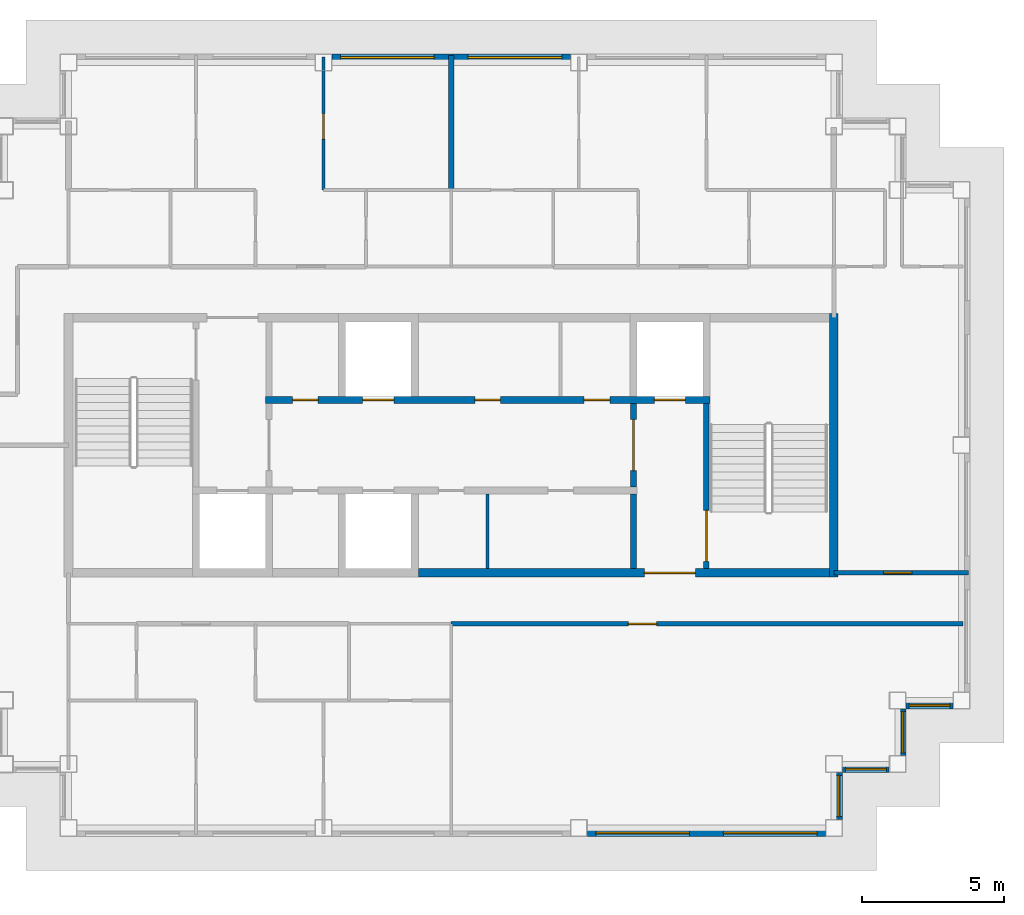
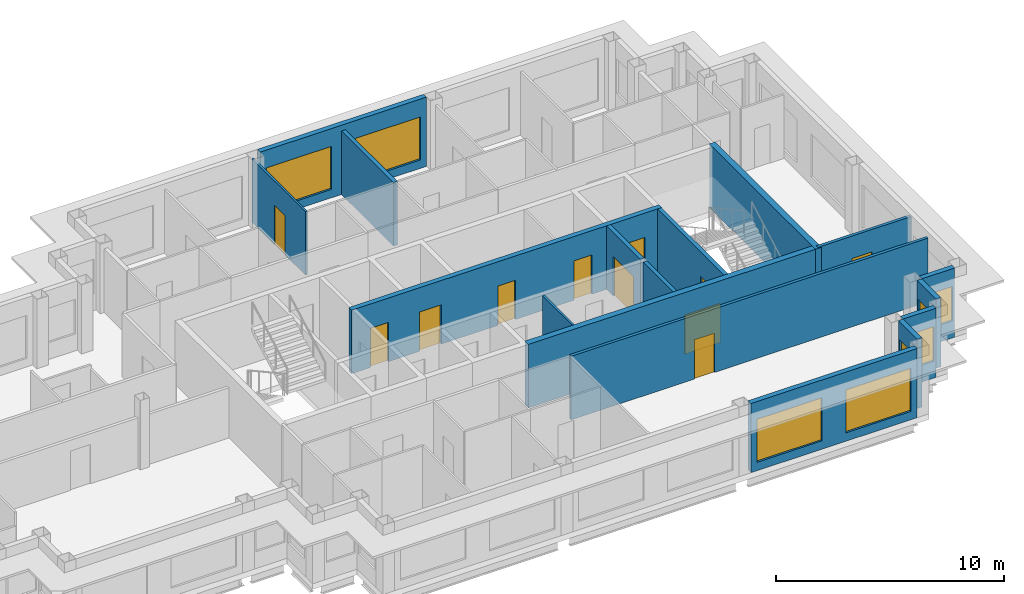
# One storey, part 5 of 12: 17 walls, 11 doors, 8 windows, 19 openings.
"""IFC4 building model written with IfcOpenShell, lengths in metres."""

import ifcopenshell
import ifcopenshell.guid

model = None  # the IFC model being written
_history = None  # IfcOwnerHistory: only IFC2X3 demands one
_inside = {}  # id of a spatial element -> (the spatial element, [elements in it])
_under = {}  # id of a project, library or spatial element -> (it, [spatial elements below it])
_declared = {}  # id of a project -> (the project, [libraries it declares])
_typed = {}  # id of a type object -> (the type object, [elements of that type])
_made_of = {}  # id of a material, layer set ... -> (it, [elements and type objects made of it])


def new_model(schema):
    """Start an empty IFC model of exactly this schema.

    Asked for "IFC4X3", IfcOpenShell would pick the latest addendum, in which some entities
    have other attributes; the version numbers below select the first issue.
    IFC2X3 requires an IfcOwnerHistory on every rooted entity: one is made here for all.
    """
    global model, _history
    if schema == "IFC4X3":
        model = ifcopenshell.file(schema_version=(4, 3, 0, 0))
    else:
        model = ifcopenshell.file(schema=schema)
    _inside.clear()
    _under.clear()
    _declared.clear()
    _typed.clear()
    _made_of.clear()
    _history = None
    if model.schema == "IFC2X3":
        org = make("IfcOrganization", Name="unknown")
        user = make(
            "IfcPersonAndOrganization",
            ThePerson=make("IfcPerson", FamilyName="unknown"),
            TheOrganization=org,
        )
        app = make(
            "IfcApplication",
            ApplicationDeveloper=org,
            Version="unknown",
            ApplicationFullName="unknown",
            ApplicationIdentifier="unknown",
        )
        _history = make(
            "IfcOwnerHistory",
            OwningUser=user,
            OwningApplication=app,
            ChangeAction="ADDED",
            CreationDate=0,
        )
    return model


def make(cls, **values):
    """One entity of the class cls with the attributes given. An attribute that is None is left unset."""
    return model.create_entity(
        cls, **{name: value for name, value in values.items() if value is not None}
    )


def rooted(cls, **values):
    """An entity with a GlobalId (a new one), such as an element, a storey or a relation."""
    return make(cls, GlobalId=ifcopenshell.guid.new(), OwnerHistory=_history, **values)


def si_unit(unit_type, name, prefix=None):
    """IfcSIUnit, for example si_unit("LENGTHUNIT", "METRE", prefix="MILLI")."""
    return make("IfcSIUnit", UnitType=unit_type, Prefix=prefix, Name=name)


def assignment(units):
    """IfcUnitAssignment: the units of a project."""
    return None if units is None else make("IfcUnitAssignment", Units=units)


def point(xyz):
    """IfcCartesianPoint."""
    return None if xyz is None else make("IfcCartesianPoint", Coordinates=xyz)


def direction(xyz):
    """IfcDirection."""
    return None if xyz is None else make("IfcDirection", DirectionRatios=xyz)


def frame(location, z_axis=None, x_axis=None):
    """IfcAxis2Placement3D, a coordinate frame: its origin and axes. An axis left out is left unset."""
    return make(
        "IfcAxis2Placement3D",
        Location=point(location),
        Axis=direction(z_axis),
        RefDirection=direction(x_axis),
    )


def frame_2d(location, x_axis=None):
    """IfcAxis2Placement2D, a coordinate frame in the plane: its origin and x axis."""
    return make(
        "IfcAxis2Placement2D", Location=point(location), RefDirection=direction(x_axis)
    )


def origin():
    """The frame at (0, 0, 0) with its axes left unset."""
    return frame((0.0, 0.0, 0.0))


def place(relative_to, where):
    """IfcLocalPlacement: puts the frame where relative to a parent placement (None: the world)."""
    return make(
        "IfcLocalPlacement", PlacementRelTo=relative_to, RelativePlacement=where
    )


def context(
    kind, dimensions, precision=None, world=None, true_north=None, identifier=None
):
    """IfcGeometricRepresentationContext, for example the 3D "Model" context."""
    return make(
        "IfcGeometricRepresentationContext",
        ContextIdentifier=identifier,
        ContextType=kind,
        CoordinateSpaceDimension=dimensions,
        Precision=precision,
        WorldCoordinateSystem=world,
        TrueNorth=true_north,
    )


def subcontext(parent, identifier, kind, view, scale=None):
    """IfcGeometricRepresentationSubContext, for example "Body" below "Model"."""
    return make(
        "IfcGeometricRepresentationSubContext",
        ContextIdentifier=identifier,
        ContextType=kind,
        ParentContext=parent,
        TargetScale=scale,
        TargetView=view,
    )


def project(units=None, contexts=None):
    """IfcProject with its units and contexts."""
    return rooted(
        "IfcProject",
        Name="project",
        RepresentationContexts=contexts,
        UnitsInContext=assignment(units),
    )


def spatial(cls, under=None, at=None, **own):
    """A site, building, storey or space (cls), placed at a placement, below another one or the project."""
    s = rooted(cls, ObjectPlacement=at, **own)
    if under is not None:
        _under.setdefault(under.id(), (under, []))[1].append(s)
    return s


def profile(cls, at=None, kind="AREA", **sizes):
    """A parametric profile (cls). Its sizes go by their IFC names, for example OverallWidth=200.0."""
    return make(cls, ProfileType=kind, Position=at, **sizes)


def rectangle(**sizes):
    """IfcRectangleProfileDef."""
    return profile("IfcRectangleProfileDef", **sizes)


def extrude(swept, where, along, depth):
    """IfcExtrudedAreaSolid: the profile swept, set in the frame where, extruded along a direction by depth."""
    return make(
        "IfcExtrudedAreaSolid",
        SweptArea=swept,
        Position=where,
        ExtrudedDirection=direction(along),
        Depth=depth,
    )


def shape(context_of_items, identifier, shape_type, items):
    """IfcShapeRepresentation: the items that make up one representation, for example the "Body"."""
    return make(
        "IfcShapeRepresentation",
        ContextOfItems=context_of_items,
        RepresentationIdentifier=identifier,
        RepresentationType=shape_type,
        Items=items,
    )


def material(Name=None, Category=None):
    """IfcMaterial."""
    return make("IfcMaterial", Name=Name, Category=Category)


def layer(
    of_material, thickness, ventilated=None, Name=None, Category=None, Priority=None
):
    """IfcMaterialLayer: one layer of a wall or slab, of a material (None: an air gap)."""
    return make(
        "IfcMaterialLayer",
        Material=of_material,
        LayerThickness=thickness,
        IsVentilated=ventilated,
        Name=Name,
        Category=Category,
        Priority=Priority,
    )


def layer_set(layers, Name=None):
    """IfcMaterialLayerSet."""
    return make("IfcMaterialLayerSet", MaterialLayers=layers, LayerSetName=Name)


def made_of(thing, what):
    """Note that an element or type object is made of a material, layer set ...; save() writes the relation."""
    if what is not None:
        _made_of.setdefault(what.id(), (what, []))[1].append(thing)
    return thing


def type_object(cls, material=None, **own):
    """A type object (cls), such as IfcWallType, which elements share."""
    return made_of(rooted(cls, **own), material)


def element(
    cls,
    number,
    at=None,
    inside=None,
    cuts=None,
    type_object=None,
    material=None,
    context=None,
    identifier="Body",
    shape_type=None,
    held_by="IfcProductDefinitionShape",
    body=None,
    shapes=None,
    **own,
):
    """One element of the class cls, such as IfcWall. Its Tag is "e" and its number.

    at: its placement. inside: the storey or other place that contains it. cuts: it is an
    opening in that element (IfcRelVoidsElement). A single representation is given by context,
    identifier, shape_type and body (its items); several are given by shapes. held_by: the class
    of the entity that holds the representations. save() writes the other relations.
    """
    e = rooted(cls, Tag="e%d" % number, ObjectPlacement=at, **own)
    if body is not None:
        shapes = [shape(context, identifier, shape_type, body)]
    if shapes is not None:
        e.Representation = make(held_by, Representations=shapes)
    if inside is not None:
        _inside.setdefault(inside.id(), (inside, []))[1].append(e)
    if cuts is not None:
        rooted(
            "IfcRelVoidsElement", RelatingBuildingElement=cuts, RelatedOpeningElement=e
        )
    if type_object is not None:
        _typed.setdefault(type_object.id(), (type_object, []))[1].append(e)
    return made_of(e, material)


def fill(opening, filler):
    """IfcRelFillsElement: the door or window that sits in an opening."""
    return rooted(
        "IfcRelFillsElement",
        RelatingOpeningElement=opening,
        RelatedBuildingElement=filler,
    )


def aggregate(whole, parts):
    """IfcRelAggregates: a whole, such as a stair, and the parts it consists of."""
    return rooted("IfcRelAggregates", RelatingObject=whole, RelatedObjects=parts)


def save(model, path):
    """Write the relations noted so far, then the file.

    IfcRelAggregates (storeys below a building ...), IfcRelContainedInSpatialStructure (elements
    in a storey), IfcRelDefinesByType, IfcRelAssociatesMaterial and IfcRelDeclares: one each for
    every whole, place, type object, material and project.
    """
    for whole, parts in _under.values():
        aggregate(whole, parts)
    for where, things in _inside.values():
        rooted(
            "IfcRelContainedInSpatialStructure",
            RelatedElements=things,
            RelatingStructure=where,
        )
    for kind, things in _typed.values():
        rooted("IfcRelDefinesByType", RelatedObjects=things, RelatingType=kind)
    for what, things in _made_of.values():
        rooted("IfcRelAssociatesMaterial", RelatedObjects=things, RelatingMaterial=what)
    for by, libraries in _declared.values():
        rooted("IfcRelDeclares", RelatingContext=by, RelatedDefinitions=libraries)
    model.write(path)


model = new_model("IFC4")

# Units and contexts
model_context = context("Model", 3, precision=1e-05, world=origin(), true_north=direction((0.0, 1.0)))
body_context = subcontext(model_context, "Body", "Model", "MODEL_VIEW")
ifc_project = project(units=[si_unit("LENGTHUNIT", "METRE"), si_unit("AREAUNIT", "SQUARE_METRE"), si_unit("VOLUMEUNIT", "CUBIC_METRE"), si_unit("PLANEANGLEUNIT", "RADIAN"), si_unit("MASSUNIT", "GRAM", prefix="KILO")], contexts=[model_context])

# Site, building, storey
site_placement = place(None, origin())
site = spatial("IfcSite", under=ifc_project, at=site_placement, CompositionType="ELEMENT")
building_placement = place(site_placement, origin())
building = spatial("IfcBuilding", under=site, at=building_placement, Name="Caravel Reach Hotel and Residences", CompositionType="ELEMENT")
storey_placement = place(building_placement, frame((0.0, 0.0, 245.300048828125)))
storey = spatial("IfcBuildingStorey", under=building, at=storey_placement, Name="L62", CompositionType="ELEMENT", Elevation=245.300048828125)

# Wall
ifc_material_1 = material(Name="Autoclaved aerated block wall")
ifc_layer_1 = layer(ifc_material_1, 0.199951171875)
ifc_layer_set_1 = layer_set([ifc_layer_1], Name="Compartment wall 200 mm EI 120")
wall_type_1 = type_object("IfcWallType", Name="Compartment wall 200 mm EI 120", PredefinedType="PARTITIONING", material=ifc_layer_set_1)
wall_1_placement = place(storey_placement, frame((37.928466796875, 22.64990234375, 0.0), z_axis=(0.0, 0.0, 1.0), x_axis=(0.0, 1.0, 0.0)))
element("IfcWall", 1, at=wall_1_placement, inside=storey, type_object=wall_type_1, Name="L62 store partition", PredefinedType="PARTITIONING", context=body_context, shape_type="SweptSolid", body=[
    extrude(rectangle(XDim=2.625, YDim=0.199951171875, at=frame_2d((1.3125, 0.0))), origin(), (0.0, 0.0, 1.0), 3.39990234375),
])

# Wall, opening, door
ifc_material_2 = material(Name="Concrete C60", Category="concrete")
ifc_layer_2 = layer(ifc_material_2, 0.300048828125)
ifc_layer_set_2 = layer_set([ifc_layer_2], Name="Core wall 300 mm EI 120")
wall_type_2 = type_object("IfcWallType", Name="Core wall 300 mm EI 120", PredefinedType="SHEAR", material=ifc_layer_set_2)
wall_2_placement = place(storey_placement, frame((30.33935546875, 22.5, 0.0), z_axis=(0.0, 0.0, 1.0), x_axis=(1.0, 0.0, 0.0)))
wall_2 = element("IfcWall", 2, at=wall_2_placement, inside=storey, type_object=wall_type_2, Name="L62 core wall S3", PredefinedType="SHEAR", context=body_context, shape_type="SweptSolid", body=[
    extrude(rectangle(XDim=14.5107421875, YDim=0.300048828125, at=frame_2d((7.25537109375, 0.0))), origin(), (0.0, 0.0, 1.0), 3.39990234375),
])
opening_1_placement = place(wall_2_placement, frame((7.97509765625, 0.0, 0.0)))
opening_1 = element("IfcOpeningElement", 3, at=opening_1_placement, cuts=wall_2, Name="Opening D62-016", PredefinedType="OPENING", context=body_context, shape_type="SweptSolid", body=[
    extrude(rectangle(XDim=1.800048828125, YDim=2.10009765625, at=frame_2d((0.89990234375, 1.050048828125))), frame((0.0, 0.159912109375, 0.0), z_axis=(0.0, -1.0, 0.0), x_axis=(1.0, 0.0, 0.0)), (0.0, 0.0, 1.0), 0.320068359375),
])
ifc_material_3 = material(Name="Steel fire door leaf", Category="steel")
door_type_1 = type_object("IfcDoorType", Name="Fire lobby door pair 1800 x 2100 EI 90", OperationType="DOUBLE_DOOR_SINGLE_SWING", PredefinedType="DOOR", material=ifc_material_3)
door_1_placement = place(opening_1_placement, origin())
door_1 = element("IfcDoor", 4, at=door_1_placement, inside=storey, type_object=door_type_1, Name="lobby S door pair to corridor", OperationType="DOUBLE_DOOR_SINGLE_SWING", OverallHeight=2.10009765625, OverallWidth=1.800048828125, PredefinedType="DOOR", context=body_context, shape_type="SweptSolid", body=[
    extrude(rectangle(XDim=1.800048828125, YDim=2.10009765625, at=frame_2d((0.89990234375, 1.050048828125))), frame((0.0, 0.02490234375, 0.0), z_axis=(0.0, -1.0, 0.0), x_axis=(1.0, 0.0, 0.0)), (0.0, 0.0, 1.0), 0.050048828125),
])
fill(opening_1, door_1)

# Wall
wall_3_placement = place(storey_placement, frame((45.0, 22.35009765625, 0.0), z_axis=(0.0, 0.0, 1.0), x_axis=(0.0, 1.0, 0.0)))
element("IfcWall", 5, at=wall_3_placement, inside=storey, type_object=wall_type_2, Name="L62 core wall E", PredefinedType="SHEAR", context=body_context, shape_type="SweptSolid", body=[
    extrude(rectangle(XDim=9.2998046875, YDim=0.300048828125, at=frame_2d((4.64990234375, 0.0))), origin(), (0.0, 0.0, 1.0), 3.39990234375),
])

# Wall, opening, door
ifc_material_4 = material(Name="Gypsum board on steel stud, fire-rated", Category="steel")
ifc_layer_3 = layer(ifc_material_4, 0.14990234375)
ifc_layer_set_3 = layer_set([ifc_layer_3], Name="Corridor wall 150 mm EI 60")
wall_type_3 = type_object("IfcWallType", Name="Corridor wall 150 mm EI 60", PredefinedType="PARTITIONING", material=ifc_layer_set_3)
wall_4_placement = place(storey_placement, frame((31.5, 20.699951171875, 0.0), z_axis=(0.0, 0.0, 1.0), x_axis=(1.0, 0.0, 0.0)))
wall_4 = element("IfcWall", 6, at=wall_4_placement, inside=storey, type_object=wall_type_3, Name="L62 wall w003", PredefinedType="PARTITIONING", context=body_context, shape_type="SweptSolid", body=[
    extrude(rectangle(XDim=18.050048828125, YDim=0.14990234375, at=frame_2d((9.02490234375, 0.0))), origin(), (0.0, 0.0, 1.0), 3.39990234375),
])
opening_2_placement = place(wall_4_placement, frame((6.25, 0.0, 0.0)))
opening_2 = element("IfcOpeningElement", 7, at=opening_2_placement, cuts=wall_4, Name="Opening D62-039", PredefinedType="OPENING", context=body_context, shape_type="SweptSolid", body=[
    extrude(rectangle(XDim=1.0, YDim=2.10009765625, at=frame_2d((0.5, 1.050048828125))), frame((0.0, 0.0849609375, 0.0), z_axis=(0.0, -1.0, 0.0), x_axis=(1.0, 0.0, 0.0)), (0.0, 0.0, 1.0), 0.169921875),
])
ifc_material_5 = material(Name="Steel fire door leaf", Category="steel")
door_type_2 = type_object("IfcDoorType", Name="Fire door 1000 x 2100 EI 60", OperationType="SINGLE_SWING_LEFT", PredefinedType="DOOR", material=ifc_material_5)
door_2_placement = place(opening_2_placement, origin())
door_2 = element("IfcDoor", 8, at=door_2_placement, inside=storey, type_object=door_type_2, Name="door D62-039", OperationType="SINGLE_SWING_LEFT", OverallHeight=2.10009765625, OverallWidth=1.0, PredefinedType="DOOR", context=body_context, shape_type="SweptSolid", body=[
    extrude(rectangle(XDim=1.0, YDim=2.10009765625, at=frame_2d((0.5, 1.050048828125))), frame((0.0, 0.02490234375, 0.0), z_axis=(0.0, -1.0, 0.0), x_axis=(1.0, 0.0, 0.0)), (0.0, 0.0, 1.0), 0.050048828125),
])
fill(opening_2, door_2)

wall_5_placement = place(storey_placement, frame((45.0, 22.5, 0.0), z_axis=(0.0, 0.0, 1.0), x_axis=(1.0, 0.0, 0.0)))
wall_5 = element("IfcWall", 9, at=wall_5_placement, inside=storey, type_object=wall_type_3, Name="L62 wall w005", PredefinedType="PARTITIONING", context=body_context, shape_type="SweptSolid", body=[
    extrude(rectangle(XDim=4.739990234375, YDim=0.14990234375, at=frame_2d((2.3701171875, 0.0))), origin(), (0.0, 0.0, 1.0), 3.39990234375),
])
opening_3_placement = place(wall_5_placement, frame((1.75, 0.0, 0.0)))
opening_3 = element("IfcOpeningElement", 10, at=opening_3_placement, cuts=wall_5, Name="Opening D62-041", PredefinedType="OPENING", context=body_context, shape_type="SweptSolid", body=[
    extrude(rectangle(XDim=1.0, YDim=2.199951171875, at=frame_2d((0.5, 1.10009765625))), frame((0.0, 0.0849609375, 0.0), z_axis=(0.0, -1.0, 0.0), x_axis=(1.0, 0.0, 0.0)), (0.0, 0.0, 1.0), 0.169921875),
])
ifc_material_6 = material(Name="Steel fire door leaf", Category="steel")
door_type_3 = type_object("IfcDoorType", Name="Flat entrance door 1000 x 2200 EI 60", OperationType="SINGLE_SWING_LEFT", PredefinedType="DOOR", material=ifc_material_6)
door_3_placement = place(opening_3_placement, origin())
door_3 = element("IfcDoor", 11, at=door_3_placement, inside=storey, type_object=door_type_3, Name="door D62-041", OperationType="SINGLE_SWING_LEFT", OverallHeight=2.199951171875, OverallWidth=1.0, PredefinedType="DOOR", context=body_context, shape_type="SweptSolid", body=[
    extrude(rectangle(XDim=1.0, YDim=2.199951171875, at=frame_2d((0.5, 1.10009765625))), frame((0.0, 0.02490234375, 0.0), z_axis=(0.0, -1.0, 0.0), x_axis=(1.0, 0.0, 0.0)), (0.0, 0.0, 1.0), 0.050048828125),
])
fill(opening_3, door_3)

# Wall, openings, windows
ifc_material_7 = material(Name="Insulated rainscreen wall, aluminium cladding", Category="aluminium")
ifc_layer_4 = layer(ifc_material_7, 0.25)
ifc_layer_set_4 = layer_set([ifc_layer_4], Name="EW1 Tower rainscreen wall")
wall_type_4 = type_object("IfcWallType", Name="EW1 Tower rainscreen wall", PredefinedType="SOLIDWALL", material=ifc_layer_set_4)
wall_6_placement = place(storey_placement, frame((36.300048828125, 13.324951171875, 0.0), z_axis=(0.0, 0.0, 1.0), x_axis=(1.0, 0.0, 0.0)))
wall_6 = element("IfcWall", 12, at=wall_6_placement, inside=storey, type_object=wall_type_4, Name="External wall L62 S4.3", PredefinedType="SOLIDWALL", context=body_context, shape_type="SweptSolid", body=[
    extrude(rectangle(XDim=8.39990234375, YDim=0.25, at=frame_2d((4.199951171875, 0.0))), origin(), (0.0, 0.0, 1.0), 3.699951171875),
])
opening_4_placement = place(wall_6_placement, frame((0.300048828125, 0.0, 0.449951171875)))
opening_4 = element("IfcOpeningElement", 13, at=opening_4_placement, cuts=wall_6, Name="Opening WN15", PredefinedType="OPENING", context=body_context, shape_type="SweptSolid", body=[
    extrude(rectangle(XDim=3.300048828125, YDim=2.300048828125, at=frame_2d((1.64990234375, 1.14990234375))), frame((0.0, 0.135009765625, 0.0), z_axis=(0.0, -1.0, 0.0), x_axis=(1.0, 0.0, 0.0)), (0.0, 0.0, 1.0), 0.27001953125),
])
opening_5_placement = place(wall_6_placement, frame((4.800048828125, 0.0, 0.449951171875)))
opening_5 = element("IfcOpeningElement", 14, at=opening_5_placement, cuts=wall_6, Name="Opening WN15", PredefinedType="OPENING", context=body_context, shape_type="SweptSolid", body=[
    extrude(rectangle(XDim=3.300048828125, YDim=2.300048828125, at=frame_2d((1.64990234375, 1.14990234375))), frame((0.0, 0.135009765625, 0.0), z_axis=(0.0, -1.0, 0.0), x_axis=(1.0, 0.0, 0.0)), (0.0, 0.0, 1.0), 0.27001953125),
])
ifc_material_8 = material(Name="Dark low-e glazing in black aluminium frame", Category="aluminium")
window_type_1 = type_object("IfcWindowType", Name="Residence living window 3300 x 2300", PartitioningType="SINGLE_PANEL", PredefinedType="WINDOW", material=ifc_material_8)
window_1_placement = place(opening_4_placement, origin())
window_1 = element("IfcWindow", 15, at=window_1_placement, inside=storey, type_object=window_type_1, Name="Window L62 S4.3.1", OverallHeight=2.300048828125, OverallWidth=3.300048828125, PartitioningType="SINGLE_PANEL", PredefinedType="WINDOW", context=body_context, shape_type="SweptSolid", body=[
    extrude(rectangle(XDim=3.300048828125, YDim=2.300048828125, at=frame_2d((1.64990234375, 1.14990234375))), frame((0.0, 0.030029296875, 0.0), z_axis=(0.0, -1.0, 0.0), x_axis=(1.0, 0.0, 0.0)), (0.0, 0.0, 1.0), 0.06005859375),
])
fill(opening_4, window_1)
window_2_placement = place(opening_5_placement, origin())
window_2 = element("IfcWindow", 16, at=window_2_placement, inside=storey, type_object=window_type_1, Name="Window L62 S4.3.2", OverallHeight=2.300048828125, OverallWidth=3.300048828125, PartitioningType="SINGLE_PANEL", PredefinedType="WINDOW", context=body_context, shape_type="SweptSolid", body=[
    extrude(rectangle(XDim=3.300048828125, YDim=2.300048828125, at=frame_2d((1.64990234375, 1.14990234375))), frame((0.0, 0.030029296875, 0.0), z_axis=(0.0, -1.0, 0.0), x_axis=(1.0, 0.0, 0.0)), (0.0, 0.0, 1.0), 0.06005859375),
])
fill(opening_5, window_2)

# Wall, opening, window
wall_7_placement = place(storey_placement, frame((45.175048828125, 13.800048828125, 0.0), z_axis=(0.0, 0.0, 1.0), x_axis=(0.0, 1.0, 0.0)))
wall_7 = element("IfcWall", 17, at=wall_7_placement, inside=storey, type_object=wall_type_4, Name="External wall L62 E5.1", PredefinedType="SOLIDWALL", context=body_context, shape_type="SweptSolid", body=[
    extrude(rectangle(XDim=1.64990234375, YDim=0.25, at=frame_2d((0.824951171875, 0.0))), origin(), (0.0, 0.0, 1.0), 3.699951171875),
])
opening_6_placement = place(wall_7_placement, frame((0.10009765625, 0.0, 0.89990234375)))
opening_6 = element("IfcOpeningElement", 18, at=opening_6_placement, cuts=wall_7, Name="Opening WN25", PredefinedType="OPENING", context=body_context, shape_type="SweptSolid", body=[
    extrude(rectangle(XDim=1.449951171875, YDim=1.85009765625, at=frame_2d((0.72509765625, 0.925048828125))), frame((0.0, 0.135009765625, 0.0), z_axis=(0.0, -1.0, 0.0), x_axis=(1.0, 0.0, 0.0)), (0.0, 0.0, 1.0), 0.27001953125),
])
ifc_material_9 = material(Name="Dark low-e glazing in black aluminium frame", Category="aluminium")
window_type_2 = type_object("IfcWindowType", Name="Residence bedroom window 1450 x 1850", PartitioningType="SINGLE_PANEL", PredefinedType="WINDOW", material=ifc_material_9)
window_3_placement = place(opening_6_placement, origin())
window_3 = element("IfcWindow", 19, at=window_3_placement, inside=storey, type_object=window_type_2, Name="Window L62 E5.1.1", OverallHeight=1.85009765625, OverallWidth=1.449951171875, PartitioningType="SINGLE_PANEL", PredefinedType="WINDOW", context=body_context, shape_type="SweptSolid", body=[
    extrude(rectangle(XDim=1.449951171875, YDim=1.85009765625, at=frame_2d((0.72509765625, 0.925048828125))), frame((0.0, 0.030029296875, 0.0), z_axis=(0.0, -1.0, 0.0), x_axis=(1.0, 0.0, 0.0)), (0.0, 0.0, 1.0), 0.06005859375),
])
fill(opening_6, window_3)

wall_8_placement = place(storey_placement, frame((45.300048828125, 15.574951171875, 0.0), z_axis=(0.0, 0.0, 1.0), x_axis=(1.0, 0.0, 0.0)))
wall_8 = element("IfcWall", 20, at=wall_8_placement, inside=storey, type_object=wall_type_4, Name="External wall L62 S6.1", PredefinedType="SOLIDWALL", context=body_context, shape_type="SweptSolid", body=[
    extrude(rectangle(XDim=1.64990234375, YDim=0.25, at=frame_2d((0.824951171875, 0.0))), origin(), (0.0, 0.0, 1.0), 3.699951171875),
])
opening_7_placement = place(wall_8_placement, frame((0.10009765625, 0.0, 0.89990234375)))
opening_7 = element("IfcOpeningElement", 21, at=opening_7_placement, cuts=wall_8, Name="Opening WN25", PredefinedType="OPENING", context=body_context, shape_type="SweptSolid", body=[
    extrude(rectangle(XDim=1.449951171875, YDim=1.85009765625, at=frame_2d((0.72509765625, 0.925048828125))), frame((0.0, 0.135009765625, 0.0), z_axis=(0.0, -1.0, 0.0), x_axis=(1.0, 0.0, 0.0)), (0.0, 0.0, 1.0), 0.27001953125),
])
window_4_placement = place(opening_7_placement, origin())
window_4 = element("IfcWindow", 22, at=window_4_placement, inside=storey, type_object=window_type_2, Name="Window L62 S6.1.1", OverallHeight=1.85009765625, OverallWidth=1.449951171875, PartitioningType="SINGLE_PANEL", PredefinedType="WINDOW", context=body_context, shape_type="SweptSolid", body=[
    extrude(rectangle(XDim=1.449951171875, YDim=1.85009765625, at=frame_2d((0.72509765625, 0.925048828125))), frame((0.0, 0.030029296875, 0.0), z_axis=(0.0, -1.0, 0.0), x_axis=(1.0, 0.0, 0.0)), (0.0, 0.0, 1.0), 0.06005859375),
])
fill(opening_7, window_4)

wall_9_placement = place(storey_placement, frame((47.425048828125, 16.050048828125, 0.0), z_axis=(0.0, 0.0, 1.0), x_axis=(0.0, 1.0, 0.0)))
wall_9 = element("IfcWall", 23, at=wall_9_placement, inside=storey, type_object=wall_type_4, Name="External wall L62 E7.1", PredefinedType="SOLIDWALL", context=body_context, shape_type="SweptSolid", body=[
    extrude(rectangle(XDim=1.64990234375, YDim=0.25, at=frame_2d((0.824951171875, 0.0))), origin(), (0.0, 0.0, 1.0), 3.699951171875),
])
opening_8_placement = place(wall_9_placement, frame((0.10009765625, 0.0, 0.89990234375)))
opening_8 = element("IfcOpeningElement", 24, at=opening_8_placement, cuts=wall_9, Name="Opening WN25", PredefinedType="OPENING", context=body_context, shape_type="SweptSolid", body=[
    extrude(rectangle(XDim=1.449951171875, YDim=1.85009765625, at=frame_2d((0.72509765625, 0.925048828125))), frame((0.0, 0.135009765625, 0.0), z_axis=(0.0, -1.0, 0.0), x_axis=(1.0, 0.0, 0.0)), (0.0, 0.0, 1.0), 0.27001953125),
])
window_5_placement = place(opening_8_placement, origin())
window_5 = element("IfcWindow", 25, at=window_5_placement, inside=storey, type_object=window_type_2, Name="Window L62 E7.1.1", OverallHeight=1.85009765625, OverallWidth=1.449951171875, PartitioningType="SINGLE_PANEL", PredefinedType="WINDOW", context=body_context, shape_type="SweptSolid", body=[
    extrude(rectangle(XDim=1.449951171875, YDim=1.85009765625, at=frame_2d((0.72509765625, 0.925048828125))), frame((0.0, 0.030029296875, 0.0), z_axis=(0.0, -1.0, 0.0), x_axis=(1.0, 0.0, 0.0)), (0.0, 0.0, 1.0), 0.06005859375),
])
fill(opening_8, window_5)

wall_10_placement = place(storey_placement, frame((47.550048828125, 17.824951171875, 0.0), z_axis=(0.0, 0.0, 1.0), x_axis=(1.0, 0.0, 0.0)))
wall_10 = element("IfcWall", 26, at=wall_10_placement, inside=storey, type_object=wall_type_4, Name="External wall L62 S8.1", PredefinedType="SOLIDWALL", context=body_context, shape_type="SweptSolid", body=[
    extrude(rectangle(XDim=1.64990234375, YDim=0.25, at=frame_2d((0.824951171875, 0.0))), origin(), (0.0, 0.0, 1.0), 3.699951171875),
])
opening_9_placement = place(wall_10_placement, frame((0.10009765625, 0.0, 0.89990234375)))
opening_9 = element("IfcOpeningElement", 27, at=opening_9_placement, cuts=wall_10, Name="Opening WN25", PredefinedType="OPENING", context=body_context, shape_type="SweptSolid", body=[
    extrude(rectangle(XDim=1.449951171875, YDim=1.85009765625, at=frame_2d((0.72509765625, 0.925048828125))), frame((0.0, 0.135009765625, 0.0), z_axis=(0.0, -1.0, 0.0), x_axis=(1.0, 0.0, 0.0)), (0.0, 0.0, 1.0), 0.27001953125),
])
window_6_placement = place(opening_9_placement, origin())
window_6 = element("IfcWindow", 28, at=window_6_placement, inside=storey, type_object=window_type_2, Name="Window L62 S8.1.1", OverallHeight=1.85009765625, OverallWidth=1.449951171875, PartitioningType="SINGLE_PANEL", PredefinedType="WINDOW", context=body_context, shape_type="SweptSolid", body=[
    extrude(rectangle(XDim=1.449951171875, YDim=1.85009765625, at=frame_2d((0.72509765625, 0.925048828125))), frame((0.0, 0.030029296875, 0.0), z_axis=(0.0, -1.0, 0.0), x_axis=(1.0, 0.0, 0.0)), (0.0, 0.0, 1.0), 0.06005859375),
])
fill(opening_9, window_6)

# Wall, openings, windows
wall_11_placement = place(storey_placement, frame((35.699951171875, 40.675048828125, 0.0), z_axis=(0.0, 0.0, 1.0), x_axis=(-1.0, 0.0, 0.0)))
wall_11 = element("IfcWall", 29, at=wall_11_placement, inside=storey, type_object=wall_type_4, Name="External wall L62 N14.2", PredefinedType="SOLIDWALL", context=body_context, shape_type="SweptSolid", body=[
    extrude(rectangle(XDim=8.39990234375, YDim=0.25, at=frame_2d((4.199951171875, 0.0))), origin(), (0.0, 0.0, 1.0), 3.699951171875),
])
opening_10_placement = place(wall_11_placement, frame((0.300048828125, 0.0, 0.449951171875)))
opening_10 = element("IfcOpeningElement", 30, at=opening_10_placement, cuts=wall_11, Name="Opening WN15", PredefinedType="OPENING", context=body_context, shape_type="SweptSolid", body=[
    extrude(rectangle(XDim=3.300048828125, YDim=2.300048828125, at=frame_2d((1.64990234375, 1.14990234375))), frame((0.0, 0.135009765625, 0.0), z_axis=(0.0, -1.0, 0.0), x_axis=(1.0, 0.0, 0.0)), (0.0, 0.0, 1.0), 0.27001953125),
])
opening_11_placement = place(wall_11_placement, frame((4.800048828125, 0.0, 0.449951171875)))
opening_11 = element("IfcOpeningElement", 31, at=opening_11_placement, cuts=wall_11, Name="Opening WN15", PredefinedType="OPENING", context=body_context, shape_type="SweptSolid", body=[
    extrude(rectangle(XDim=3.300048828125, YDim=2.300048828125, at=frame_2d((1.64990234375, 1.14990234375))), frame((0.0, 0.135009765625, 0.0), z_axis=(0.0, -1.0, 0.0), x_axis=(1.0, 0.0, 0.0)), (0.0, 0.0, 1.0), 0.27001953125),
])
window_7_placement = place(opening_10_placement, origin())
window_7 = element("IfcWindow", 32, at=window_7_placement, inside=storey, type_object=window_type_1, Name="Window L62 N14.2.1", OverallHeight=2.300048828125, OverallWidth=3.300048828125, PartitioningType="SINGLE_PANEL", PredefinedType="WINDOW", context=body_context, shape_type="SweptSolid", body=[
    extrude(rectangle(XDim=3.300048828125, YDim=2.300048828125, at=frame_2d((1.64990234375, 1.14990234375))), frame((0.0, 0.030029296875, 0.0), z_axis=(0.0, -1.0, 0.0), x_axis=(1.0, 0.0, 0.0)), (0.0, 0.0, 1.0), 0.06005859375),
])
fill(opening_10, window_7)
window_8_placement = place(opening_11_placement, origin())
window_8 = element("IfcWindow", 33, at=window_8_placement, inside=storey, type_object=window_type_1, Name="Window L62 N14.2.2", OverallHeight=2.300048828125, OverallWidth=3.300048828125, PartitioningType="SINGLE_PANEL", PredefinedType="WINDOW", context=body_context, shape_type="SweptSolid", body=[
    extrude(rectangle(XDim=3.300048828125, YDim=2.300048828125, at=frame_2d((1.64990234375, 1.14990234375))), frame((0.0, 0.030029296875, 0.0), z_axis=(0.0, -1.0, 0.0), x_axis=(1.0, 0.0, 0.0)), (0.0, 0.0, 1.0), 0.06005859375),
])
fill(opening_11, window_8)

# Wall, opening, door
ifc_material_10 = material(Name="Autoclaved aerated block wall")
ifc_layer_5 = layer(ifc_material_10, 0.199951171875)
ifc_layer_set_5 = layer_set([ifc_layer_5], Name="Fire lobby wall 200 mm EI 120")
wall_type_5 = type_object("IfcWallType", Name="Fire lobby wall 200 mm EI 120", PredefinedType="PARTITIONING", material=ifc_layer_set_5)
wall_12_placement = place(storey_placement, frame((37.928466796875, 25.52490234375, 0.0), z_axis=(0.0, 0.0, 1.0), x_axis=(0.0, 1.0, 0.0)))
wall_12 = element("IfcWall", 34, at=wall_12_placement, inside=storey, type_object=wall_type_5, Name="L62 lobby E wall", PredefinedType="PARTITIONING", context=body_context, shape_type="SweptSolid", body=[
    extrude(rectangle(XDim=2.9501953125, YDim=0.199951171875, at=frame_2d((1.47509765625, 0.0))), origin(), (0.0, 0.0, 1.0), 3.39990234375),
])
opening_12_placement = place(wall_12_placement, frame((0.574951171875, 0.0, 0.0)))
opening_12 = element("IfcOpeningElement", 35, at=opening_12_placement, cuts=wall_12, Name="Opening D62-014", PredefinedType="OPENING", context=body_context, shape_type="SweptSolid", body=[
    extrude(rectangle(XDim=1.800048828125, YDim=2.10009765625, at=frame_2d((0.89990234375, 1.050048828125))), frame((0.0, 0.10986328125, 0.0), z_axis=(0.0, -1.0, 0.0), x_axis=(1.0, 0.0, 0.0)), (0.0, 0.0, 1.0), 0.219970703125),
])
door_4_placement = place(opening_12_placement, origin())
door_4 = element("IfcDoor", 36, at=door_4_placement, inside=storey, type_object=door_type_1, Name="lobby E door pair", OperationType="DOUBLE_DOOR_SINGLE_SWING", OverallHeight=2.10009765625, OverallWidth=1.800048828125, PredefinedType="DOOR", context=body_context, shape_type="SweptSolid", body=[
    extrude(rectangle(XDim=1.800048828125, YDim=2.10009765625, at=frame_2d((0.89990234375, 1.050048828125))), frame((0.0, 0.02490234375, 0.0), z_axis=(0.0, -1.0, 0.0), x_axis=(1.0, 0.0, 0.0)), (0.0, 0.0, 1.0), 0.050048828125),
])
fill(opening_12, door_4)

# Wall
ifc_material_11 = material(Name="Gypsum board on steel stud", Category="steel")
ifc_layer_6 = layer(ifc_material_11, 0.10009765625)
ifc_layer_set_6 = layer_set([ifc_layer_6], Name="Partition 100 mm")
wall_type_6 = type_object("IfcWallType", Name="Partition 100 mm", PredefinedType="PARTITIONING", material=ifc_layer_set_6)
wall_13_placement = place(storey_placement, frame((32.78564453125, 22.64990234375, 0.0), z_axis=(0.0, 0.0, 1.0), x_axis=(0.0, 1.0, 0.0)))
element("IfcWall", 37, at=wall_13_placement, inside=storey, type_object=wall_type_6, Name="L62 store partition", PredefinedType="PARTITIONING", context=body_context, shape_type="SweptSolid", body=[
    extrude(rectangle(XDim=2.625, YDim=0.10009765625, at=frame_2d((1.3125, 0.0))), origin(), (0.0, 0.0, 1.0), 3.39990234375),
])

# Wall, opening, door
wall_14_placement = place(storey_placement, frame((27.0, 36.0, 0.0), z_axis=(0.0, 0.0, 1.0), x_axis=(0.0, 1.0, 0.0)))
wall_14 = element("IfcWall", 38, at=wall_14_placement, inside=storey, type_object=wall_type_6, Name="L62 wall w039", PredefinedType="PARTITIONING", context=body_context, shape_type="SweptSolid", body=[
    extrude(rectangle(XDim=4.68994140625, YDim=0.10009765625, at=frame_2d((2.344970703125, 0.0))), origin(), (0.0, 0.0, 1.0), 3.39990234375),
])
opening_13_placement = place(wall_14_placement, frame((1.800048828125, 0.0, 0.0)))
opening_13 = element("IfcOpeningElement", 39, at=opening_13_placement, cuts=wall_14, Name="Opening D62-022", PredefinedType="OPENING", context=body_context, shape_type="SweptSolid", body=[
    extrude(rectangle(XDim=0.89990234375, YDim=2.10009765625, at=frame_2d((0.449951171875, 1.050048828125))), frame((0.0, 0.06005859375, 0.0), z_axis=(0.0, -1.0, 0.0), x_axis=(1.0, 0.0, 0.0)), (0.0, 0.0, 1.0), 0.1201171875),
])
ifc_material_12 = material(Name="Timber and steel door leaf", Category="steel")
door_type_4 = type_object("IfcDoorType", Name="Door 900 x 2100 timber", OperationType="SINGLE_SWING_LEFT", PredefinedType="DOOR", material=ifc_material_12)
door_5_placement = place(opening_13_placement, origin())
door_5 = element("IfcDoor", 40, at=door_5_placement, inside=storey, type_object=door_type_4, Name="door D62-022", OperationType="SINGLE_SWING_RIGHT", OverallHeight=2.10009765625, OverallWidth=0.89990234375, PredefinedType="DOOR", context=body_context, shape_type="SweptSolid", body=[
    extrude(rectangle(XDim=0.89990234375, YDim=2.10009765625, at=frame_2d((0.449951171875, 1.050048828125))), frame((0.0, 0.02490234375, 0.0), z_axis=(0.0, -1.0, 0.0), x_axis=(1.0, 0.0, 0.0)), (0.0, 0.0, 1.0), 0.050048828125),
])
fill(opening_13, door_5)

# Wall
ifc_material_13 = material(Name="Autoclaved aerated block wall")
ifc_layer_7 = layer(ifc_material_13, 0.199951171875)
ifc_layer_set_7 = layer_set([ifc_layer_7], Name="Party wall 200 mm EI 60")
wall_type_7 = type_object("IfcWallType", Name="Party wall 200 mm EI 60", PredefinedType="PARTITIONING", material=ifc_layer_set_7)
wall_15_placement = place(storey_placement, frame((31.5, 36.0, 0.0), z_axis=(0.0, 0.0, 1.0), x_axis=(0.0, 1.0, 0.0)))
element("IfcWall", 41, at=wall_15_placement, inside=storey, type_object=wall_type_7, Name="L62 wall w049", PredefinedType="PARTITIONING", context=body_context, shape_type="SweptSolid", body=[
    extrude(rectangle(XDim=4.739990234375, YDim=0.199951171875, at=frame_2d((2.3701171875, 0.0))), origin(), (0.0, 0.0, 1.0), 3.39990234375),
])

# Wall, openings, doors
ifc_material_14 = material(Name="Concrete C60", Category="concrete")
ifc_layer_8 = layer(ifc_material_14, 0.25)
ifc_layer_set_8 = layer_set([ifc_layer_8], Name="Shaft wall 250 mm EI 120")
wall_type_8 = type_object("IfcWallType", Name="Shaft wall 250 mm EI 120", PredefinedType="SHEAR", material=ifc_layer_set_8)
wall_16_placement = place(storey_placement, frame((24.946533203125, 28.60009765625, 0.0), z_axis=(0.0, 0.0, 1.0), x_axis=(1.0, 0.0, 0.0)))
wall_16 = element("IfcWall", 42, at=wall_16_placement, inside=storey, type_object=wall_type_8, Name="L62 lobby wall N1", PredefinedType="SHEAR", context=body_context, shape_type="SweptSolid", body=[
    extrude(rectangle(XDim=15.678466796875, YDim=0.25, at=frame_2d((7.83935546875, 0.0))), origin(), (0.0, 0.0, 1.0), 3.39990234375),
])
opening_14_placement = place(wall_16_placement, frame((3.43212890625, 0.0, 0.0)))
opening_14 = element("IfcOpeningElement", 43, at=opening_14_placement, cuts=wall_16, Name="Opening D62-002", PredefinedType="OPENING", context=body_context, shape_type="SweptSolid", body=[
    extrude(rectangle(XDim=1.10009765625, YDim=2.10009765625, at=frame_2d((0.550048828125, 1.050048828125))), frame((0.0, 0.135009765625, 0.0), z_axis=(0.0, -1.0, 0.0), x_axis=(1.0, 0.0, 0.0)), (0.0, 0.0, 1.0), 0.27001953125),
])
opening_15_placement = place(wall_16_placement, frame((13.718017578125, 0.0, 0.0)))
opening_15 = element("IfcOpeningElement", 44, at=opening_15_placement, cuts=wall_16, Name="Opening D62-004", PredefinedType="OPENING", context=body_context, shape_type="SweptSolid", body=[
    extrude(rectangle(XDim=1.10009765625, YDim=2.10009765625, at=frame_2d((0.550048828125, 1.050048828125))), frame((0.0, 0.135009765625, 0.0), z_axis=(0.0, -1.0, 0.0), x_axis=(1.0, 0.0, 0.0)), (0.0, 0.0, 1.0), 0.27001953125),
])
opening_16_placement = place(wall_16_placement, frame((0.960693359375, 0.0, 0.0)))
opening_16 = element("IfcOpeningElement", 45, at=opening_16_placement, cuts=wall_16, Name="Opening D62-008", PredefinedType="OPENING", context=body_context, shape_type="SweptSolid", body=[
    extrude(rectangle(XDim=0.89990234375, YDim=2.10009765625, at=frame_2d((0.449951171875, 1.050048828125))), frame((0.0, 0.135009765625, 0.0), z_axis=(0.0, -1.0, 0.0), x_axis=(1.0, 0.0, 0.0)), (0.0, 0.0, 1.0), 0.27001953125),
])
opening_17_placement = place(wall_16_placement, frame((7.389404296875, 0.0, 0.0)))
opening_17 = element("IfcOpeningElement", 46, at=opening_17_placement, cuts=wall_16, Name="Opening D62-009", PredefinedType="OPENING", context=body_context, shape_type="SweptSolid", body=[
    extrude(rectangle(XDim=0.89990234375, YDim=2.10009765625, at=frame_2d((0.449951171875, 1.050048828125))), frame((0.0, 0.135009765625, 0.0), z_axis=(0.0, -1.0, 0.0), x_axis=(1.0, 0.0, 0.0)), (0.0, 0.0, 1.0), 0.27001953125),
])
opening_18_placement = place(wall_16_placement, frame((11.246337890625, 0.0, 0.0)))
opening_18 = element("IfcOpeningElement", 47, at=opening_18_placement, cuts=wall_16, Name="Opening D62-010", PredefinedType="OPENING", context=body_context, shape_type="SweptSolid", body=[
    extrude(rectangle(XDim=0.89990234375, YDim=2.10009765625, at=frame_2d((0.449951171875, 1.050048828125))), frame((0.0, 0.135009765625, 0.0), z_axis=(0.0, -1.0, 0.0), x_axis=(1.0, 0.0, 0.0)), (0.0, 0.0, 1.0), 0.27001953125),
])
ifc_material_15 = material(Name="Stainless steel landing door", Category="steel")
door_type_5 = type_object("IfcDoorType", Name="Landing door LD 1100 x 2100 sliding", OperationType="DOUBLE_DOOR_SLIDING", PredefinedType="DOOR", material=ifc_material_15)
door_6_placement = place(opening_14_placement, origin())
door_6 = element("IfcDoor", 48, at=door_6_placement, inside=storey, type_object=door_type_5, Name="HP2 landing door", OperationType="DOUBLE_DOOR_SLIDING", OverallHeight=2.10009765625, OverallWidth=1.10009765625, PredefinedType="DOOR", context=body_context, shape_type="SweptSolid", body=[
    extrude(rectangle(XDim=1.10009765625, YDim=2.10009765625, at=frame_2d((0.550048828125, 1.050048828125))), frame((0.0, 0.02490234375, 0.0), z_axis=(0.0, -1.0, 0.0), x_axis=(1.0, 0.0, 0.0)), (0.0, 0.0, 1.0), 0.050048828125),
])
fill(opening_14, door_6)
door_7_placement = place(opening_15_placement, origin())
door_7 = element("IfcDoor", 49, at=door_7_placement, inside=storey, type_object=door_type_5, Name="FL2 landing door", OperationType="DOUBLE_DOOR_SLIDING", OverallHeight=2.10009765625, OverallWidth=1.10009765625, PredefinedType="DOOR", context=body_context, shape_type="SweptSolid", body=[
    extrude(rectangle(XDim=1.10009765625, YDim=2.10009765625, at=frame_2d((0.550048828125, 1.050048828125))), frame((0.0, 0.02490234375, 0.0), z_axis=(0.0, -1.0, 0.0), x_axis=(1.0, 0.0, 0.0)), (0.0, 0.0, 1.0), 0.050048828125),
])
fill(opening_15, door_7)
ifc_material_16 = material(Name="Steel fire door leaf", Category="steel")
door_type_6 = type_object("IfcDoorType", Name="Riser door 900 x 2100 EI 60", OperationType="SINGLE_SWING_LEFT", PredefinedType="DOOR", material=ifc_material_16)
door_8_placement = place(opening_16_placement, origin())
door_8 = element("IfcDoor", 50, at=door_8_placement, inside=storey, type_object=door_type_6, Name="Telecom room door", OperationType="SINGLE_SWING_LEFT", OverallHeight=2.10009765625, OverallWidth=0.89990234375, PredefinedType="DOOR", context=body_context, shape_type="SweptSolid", body=[
    extrude(rectangle(XDim=0.89990234375, YDim=2.10009765625, at=frame_2d((0.449951171875, 1.050048828125))), frame((0.0, 0.02490234375, 0.0), z_axis=(0.0, -1.0, 0.0), x_axis=(1.0, 0.0, 0.0)), (0.0, 0.0, 1.0), 0.050048828125),
])
fill(opening_16, door_8)
door_9_placement = place(opening_17_placement, origin())
door_9 = element("IfcDoor", 51, at=door_9_placement, inside=storey, type_object=door_type_6, Name="Recycling store door", OperationType="SINGLE_SWING_LEFT", OverallHeight=2.10009765625, OverallWidth=0.89990234375, PredefinedType="DOOR", context=body_context, shape_type="SweptSolid", body=[
    extrude(rectangle(XDim=0.89990234375, YDim=2.10009765625, at=frame_2d((0.449951171875, 1.050048828125))), frame((0.0, 0.02490234375, 0.0), z_axis=(0.0, -1.0, 0.0), x_axis=(1.0, 0.0, 0.0)), (0.0, 0.0, 1.0), 0.050048828125),
])
fill(opening_17, door_9)
door_10_placement = place(opening_18_placement, origin())
door_10 = element("IfcDoor", 52, at=door_10_placement, inside=storey, type_object=door_type_6, Name="Residents' store door", OperationType="SINGLE_SWING_LEFT", OverallHeight=2.10009765625, OverallWidth=0.89990234375, PredefinedType="DOOR", context=body_context, shape_type="SweptSolid", body=[
    extrude(rectangle(XDim=0.89990234375, YDim=2.10009765625, at=frame_2d((0.449951171875, 1.050048828125))), frame((0.0, 0.02490234375, 0.0), z_axis=(0.0, -1.0, 0.0), x_axis=(1.0, 0.0, 0.0)), (0.0, 0.0, 1.0), 0.050048828125),
])
fill(opening_18, door_10)

# Wall, opening, door
ifc_material_17 = material(Name="Concrete C60", Category="concrete")
ifc_layer_9 = layer(ifc_material_17, 0.199951171875)
ifc_layer_set_9 = layer_set([ifc_layer_9], Name="Stair enclosure wall 200 mm EI 120")
wall_type_9 = type_object("IfcWallType", Name="Stair enclosure wall 200 mm EI 120", PredefinedType="SHEAR", material=ifc_layer_set_9)
wall_17_placement = place(storey_placement, frame((40.5, 22.64990234375, 0.0), z_axis=(0.0, 0.0, 1.0), x_axis=(0.0, 1.0, 0.0)))
wall_17 = element("IfcWall", 53, at=wall_17_placement, inside=storey, type_object=wall_type_9, Name="L62 stair B wall", PredefinedType="SHEAR", context=body_context, shape_type="SweptSolid", body=[
    extrude(rectangle(XDim=5.8251953125, YDim=0.199951171875, at=frame_2d((2.91259765625, 0.0))), origin(), (0.0, 0.0, 1.0), 3.39990234375),
])
opening_19_placement = place(wall_17_placement, frame((0.25, 0.0, 0.0)))
opening_19 = element("IfcOpeningElement", 54, at=opening_19_placement, cuts=wall_17, Name="Opening D62-012", PredefinedType="OPENING", context=body_context, shape_type="SweptSolid", body=[
    extrude(rectangle(XDim=1.800048828125, YDim=2.10009765625, at=frame_2d((0.89990234375, 1.050048828125))), frame((0.0, 0.10986328125, 0.0), z_axis=(0.0, -1.0, 0.0), x_axis=(1.0, 0.0, 0.0)), (0.0, 0.0, 1.0), 0.219970703125),
])
ifc_material_18 = material(Name="Steel fire door leaf", Category="steel")
door_type_7 = type_object("IfcDoorType", Name="Stair door pair 1800 x 2100 EI 90", OperationType="DOUBLE_DOOR_SINGLE_SWING", PredefinedType="DOOR", material=ifc_material_18)
door_11_placement = place(opening_19_placement, origin())
door_11 = element("IfcDoor", 55, at=door_11_placement, inside=storey, type_object=door_type_7, Name="stair B door pair", OperationType="DOUBLE_DOOR_SINGLE_SWING", OverallHeight=2.10009765625, OverallWidth=1.800048828125, PredefinedType="DOOR", context=body_context, shape_type="SweptSolid", body=[
    extrude(rectangle(XDim=1.800048828125, YDim=2.10009765625, at=frame_2d((0.89990234375, 1.050048828125))), frame((0.0, 0.02490234375, 0.0), z_axis=(0.0, -1.0, 0.0), x_axis=(1.0, 0.0, 0.0)), (0.0, 0.0, 1.0), 0.050048828125),
])
fill(opening_19, door_11)

save(model, "model.ifc")
